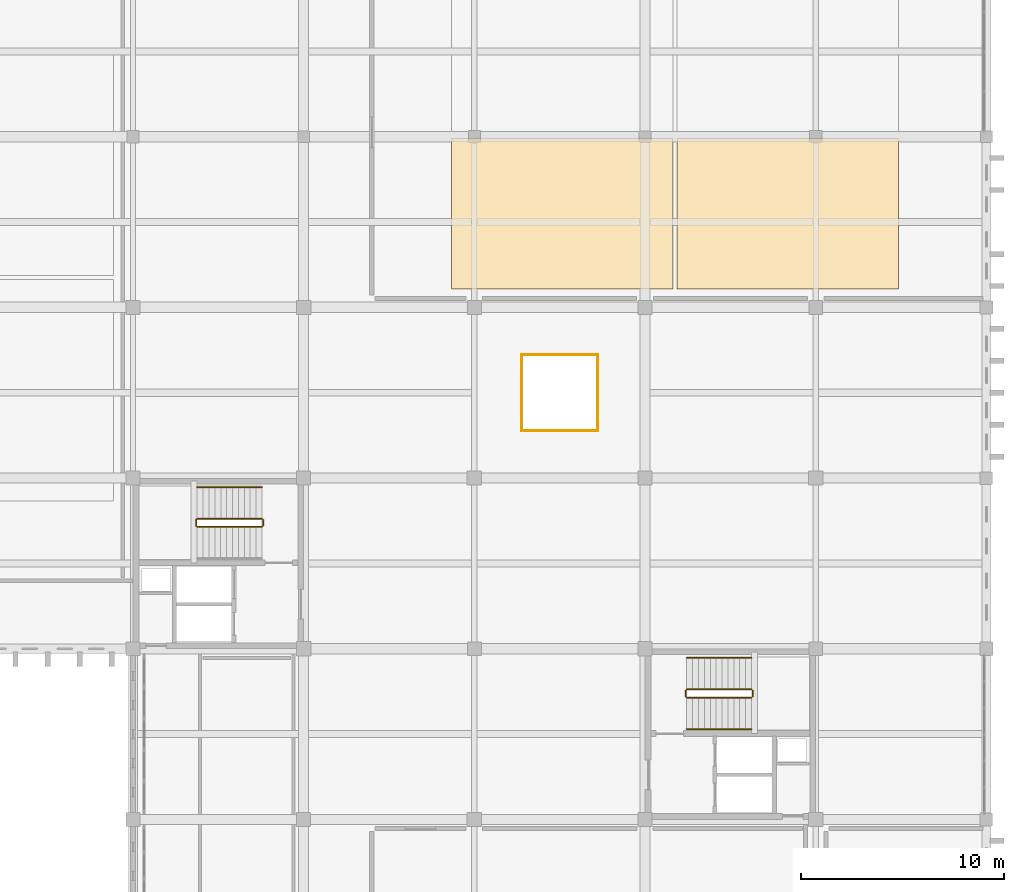
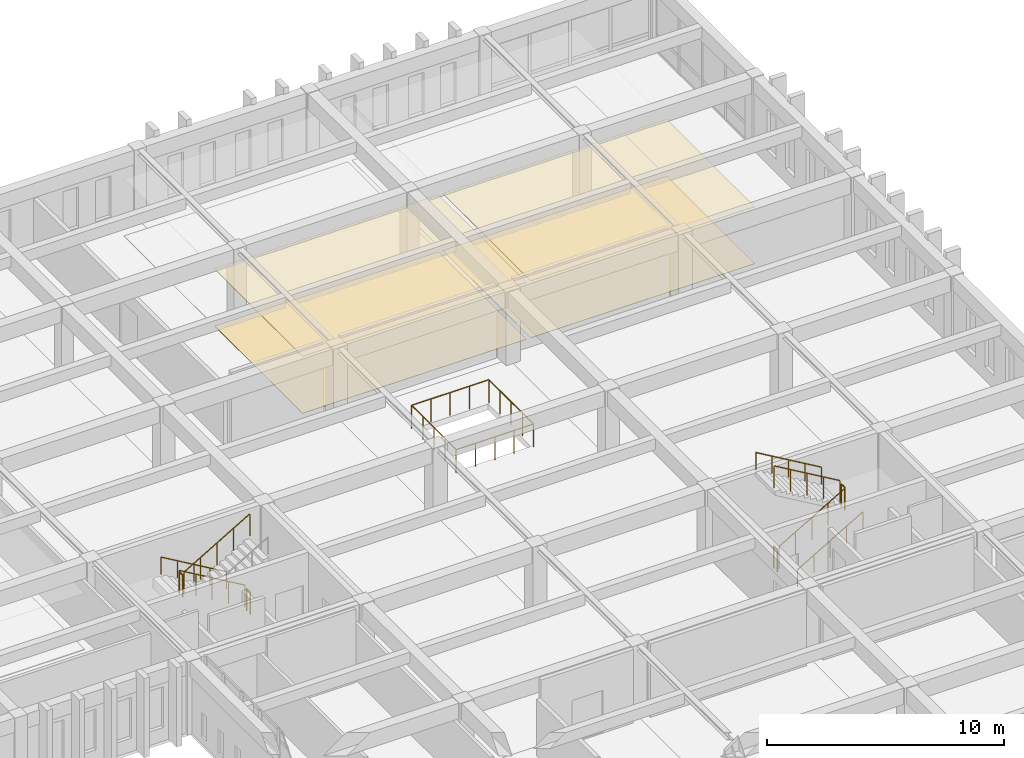
# One storey, part 109 of 110: 15 railings, 4 coverings.
"""IFC4 building model written with IfcOpenShell, lengths in metres."""

from ifc_helpers import new_model, si_unit, direction, frame, origin, origin_2d, place, context, subcontext, project, spatial, rectangle, circle, extrude, material, layer, layer_set, type_object, element, save


model = new_model("IFC4")

# Units and contexts
model_context = context("Model", 3, precision=1e-05, world=origin(), true_north=direction((0.0, 1.0)))
body_context = subcontext(model_context, "Body", "Model", "MODEL_VIEW")
ifc_project = project(units=[si_unit("LENGTHUNIT", "METRE"), si_unit("AREAUNIT", "SQUARE_METRE"), si_unit("VOLUMEUNIT", "CUBIC_METRE"), si_unit("PLANEANGLEUNIT", "RADIAN"), si_unit("MASSUNIT", "GRAM", prefix="KILO")], contexts=[model_context])

# Site, building, storey
site_placement = place(None, origin())
site = spatial("IfcSite", under=ifc_project, at=site_placement, CompositionType="ELEMENT")
building_placement = place(site_placement, origin())
building = spatial("IfcBuilding", under=site, at=building_placement, Name="Kveldsbrygga Polytechnic", CompositionType="ELEMENT")
storey_placement = place(building_placement, frame((0.0, 0.0, 9.860107421875)))
storey = spatial("IfcBuildingStorey", under=building, at=storey_placement, Name="L02", CompositionType="ELEMENT", Elevation=9.860107421875)

# Coverings
ifc_material_1 = material(Name="Acoustic mineral baffle ceiling")
ifc_layer_1 = layer(ifc_material_1, 0.030029296875)
ifc_layer_set_1 = layer_set([ifc_layer_1], Name="Acoustic mineral baffle ceiling")
covering_type_1 = type_object("IfcCoveringType", Name="COV-CEIL-AC30", PredefinedType="CEILING", material=ifc_layer_set_1)
for number, where, z_axis, x_axis, name in (
    (1, (147.125, 105.41259765625, 2.919921875), (0.0, 0.0, 1.0), (1.0, 0.0, 0.0), "Acoustic Ceiling SP-L02-LAB22-WS"),
    (2, (158.22509765625, 105.41259765625, 2.919921875), (0.0, 0.0, 1.0), (1.0, 0.0, 0.0), "Acoustic Ceiling SP-L02-LAB22-ES"),
):
    element("IfcCovering", number, at=place(storey_placement, frame(where, z_axis=z_axis, x_axis=x_axis)), inside=storey, type_object=covering_type_1, Name=name, PredefinedType="CEILING", context=body_context, shape_type="SweptSolid", body=[
        extrude(rectangle(XDim=10.89990234375, YDim=7.425048828125, at=origin_2d()), origin(), (0.0, 0.0, 1.0), 0.030029296875),
    ])
ifc_material_2 = material(Name="Heavy-duty quartz-filled epoxy resin flooring")
ifc_layer_2 = layer(ifc_material_2, 0.014892578125)
ifc_layer_set_2 = layer_set([ifc_layer_2], Name="Heavy-duty quartz-filled epoxy resin flooring")
covering_type_2 = type_object("IfcCoveringType", Name="COV-FLR-EPX15", PredefinedType="FLOORING", material=ifc_layer_set_2)
for number, where, z_axis, x_axis, name in (
    (3, (147.125, 105.41259765625, 0.0), (0.0, 0.0, 1.0), (1.0, 0.0, 0.0), "Room Flooring SP-L02-LAB22-WS"),
    (4, (158.22509765625, 105.41259765625, 0.0), (0.0, 0.0, 1.0), (1.0, 0.0, 0.0), "Room Flooring SP-L02-LAB22-ES"),
):
    element("IfcCovering", number, at=place(storey_placement, frame(where, z_axis=z_axis, x_axis=x_axis)), inside=storey, type_object=covering_type_2, Name=name, PredefinedType="FLOORING", context=body_context, shape_type="SweptSolid", body=[
        extrude(rectangle(XDim=10.89990234375, YDim=7.425048828125, at=origin_2d()), origin(), (0.0, 0.0, 1.0), 0.014892578125),
    ])

# Railings
ifc_material_3 = material(Name="Steel S355", Category="steel")
railing_type_1 = type_object("IfcRailingType", Name="RL-STAIR-GRD", PredefinedType="GUARDRAIL", material=ifc_material_3)
railing_1_placement = place(storey_placement, frame((132.35009765625, 90.39990234375, 0.169921875)))
element("IfcRailing", 5, at=railing_1_placement, inside=storey, type_object=railing_type_1, Name="L02 ST-2 stair guard 1", PredefinedType="GUARDRAIL", context=body_context, shape_type="SweptSolid", body=[
    extrude(circle(Radius=0.02392578125, at=origin_2d()), frame((0.0, 0.0, 1.1259765625), z_axis=(-0.862725780356, 0.0, 0.505672055693), x_axis=(0.0, -1.0, 0.0)), (0.0, 0.0, 1.0), 3.69775390625),
    extrude(circle(Radius=0.02099609375, at=origin_2d()), origin(), (0.0, 0.0, 1.0), 1.097900390625),
    extrude(circle(Radius=0.02099609375, at=origin_2d()), frame((-0.797607421875, 0.0, 0.467529296875)), (0.0, 0.0, 1.0), 1.097900390625),
    extrude(circle(Radius=0.02099609375, at=origin_2d()), frame((-1.59521484375, 0.0, 0.93505859375)), (0.0, 0.0, 1.0), 1.097900390625),
    extrude(circle(Radius=0.02099609375, at=origin_2d()), frame((-2.392578125, 0.0, 1.40234375)), (0.0, 0.0, 1.0), 1.097900390625),
    extrude(circle(Radius=0.02099609375, at=origin_2d()), frame((-3.190185546875, 0.0, 1.869873046875)), (0.0, 0.0, 1.0), 1.097900390625),
])
railing_2_placement = place(storey_placement, frame((129.110107421875, 90.35009765625, 2.039794921875)))
element("IfcRailing", 6, at=railing_2_placement, inside=storey, type_object=railing_type_1, Name="L02 ST-2 stair guard 2", PredefinedType="GUARDRAIL", context=body_context, shape_type="SweptSolid", body=[
    extrude(circle(Radius=0.02392578125, at=origin_2d()), frame((0.0, 0.0, 1.1259765625), z_axis=(0.0, -1.0, 0.0), x_axis=(1.0, 0.0, 0.0)), (0.0, 0.0, 1.0), 0.300048828125),
    extrude(circle(Radius=0.02099609375, at=origin_2d()), origin(), (0.0, 0.0, 1.0), 1.097900390625),
    extrude(circle(Radius=0.02099609375, at=origin_2d()), frame((0.0, -0.300048828125, 0.0)), (0.0, 0.0, 1.0), 1.097900390625),
])
railing_3_placement = place(storey_placement, frame((129.159912109375, 90.0, 2.2099609375)))
element("IfcRailing", 7, at=railing_3_placement, inside=storey, type_object=railing_type_1, Name="L02 ST-2 stair guard 3", PredefinedType="GUARDRAIL", context=body_context, shape_type="SweptSolid", body=[
    extrude(circle(Radius=0.02392578125, at=origin_2d()), frame((0.0, 0.0, 1.1259765625), z_axis=(0.862725780356, 0.0, 0.505672055693), x_axis=(0.0, 1.0, 0.0)), (0.0, 0.0, 1.0), 3.69775390625),
    extrude(circle(Radius=0.02099609375, at=origin_2d()), origin(), (0.0, 0.0, 1.0), 1.097900390625),
    extrude(circle(Radius=0.02099609375, at=origin_2d()), frame((0.797607421875, 0.0, 0.467529296875)), (0.0, 0.0, 1.0), 1.097900390625),
    extrude(circle(Radius=0.02099609375, at=origin_2d()), frame((1.59521484375, 0.0, 0.93505859375)), (0.0, 0.0, 1.0), 1.097900390625),
    extrude(circle(Radius=0.02099609375, at=origin_2d()), frame((2.392578125, 0.0, 1.40234375)), (0.0, 0.0, 1.0), 1.097900390625),
    extrude(circle(Radius=0.02099609375, at=origin_2d()), frame((3.190185546875, 0.0, 1.869873046875)), (0.0, 0.0, 1.0), 1.097900390625),
])
railing_4_placement = place(storey_placement, frame((132.39990234375, 90.35009765625, 0.0)))
element("IfcRailing", 8, at=railing_4_placement, inside=storey, type_object=railing_type_1, Name="L02 ST-2 stair guard 4", PredefinedType="GUARDRAIL", context=body_context, shape_type="SweptSolid", body=[
    extrude(circle(Radius=0.02392578125, at=origin_2d()), frame((0.0, 0.0, 1.1259765625), z_axis=(0.0, -1.0, 0.0), x_axis=(1.0, 0.0, 0.0)), (0.0, 0.0, 1.0), 0.300048828125),
    extrude(circle(Radius=0.02099609375, at=origin_2d()), origin(), (0.0, 0.0, 1.0), 1.097900390625),
    extrude(circle(Radius=0.02099609375, at=origin_2d()), frame((0.0, -0.300048828125, 0.0)), (0.0, 0.0, 1.0), 1.097900390625),
])
railing_5_placement = place(storey_placement, frame((153.25, 81.60009765625, 0.169921875)))
element("IfcRailing", 9, at=railing_5_placement, inside=storey, type_object=railing_type_1, Name="L02 ST-4 stair guard 1", PredefinedType="GUARDRAIL", context=body_context, shape_type="SweptSolid", body=[
    extrude(circle(Radius=0.02392578125, at=origin_2d()), frame((0.0, 0.0, 1.1259765625), z_axis=(0.86270889649, 0.0, 0.505700860111), x_axis=(0.0, 1.0, 0.0)), (0.0, 0.0, 1.0), 3.697509765625),
    extrude(circle(Radius=0.02099609375, at=origin_2d()), origin(), (0.0, 0.0, 1.0), 1.097900390625),
    extrude(circle(Radius=0.02099609375, at=origin_2d()), frame((0.79736328125, 0.0, 0.467529296875)), (0.0, 0.0, 1.0), 1.097900390625),
    extrude(circle(Radius=0.02099609375, at=origin_2d()), frame((1.594970703125, 0.0, 0.93505859375)), (0.0, 0.0, 1.0), 1.097900390625),
    extrude(circle(Radius=0.02099609375, at=origin_2d()), frame((2.392578125, 0.0, 1.40234375)), (0.0, 0.0, 1.0), 1.097900390625),
    extrude(circle(Radius=0.02099609375, at=origin_2d()), frame((3.18994140625, 0.0, 1.869873046875)), (0.0, 0.0, 1.0), 1.097900390625),
])
railing_6_placement = place(storey_placement, frame((156.489990234375, 81.64990234375, 2.039794921875)))
element("IfcRailing", 10, at=railing_6_placement, inside=storey, type_object=railing_type_1, Name="L02 ST-4 stair guard 2", PredefinedType="GUARDRAIL", context=body_context, shape_type="SweptSolid", body=[
    extrude(circle(Radius=0.02392578125, at=origin_2d()), frame((0.0, 0.0, 1.1259765625), z_axis=(0.0, 1.0, 0.0), x_axis=(-1.0, 0.0, 0.0)), (0.0, 0.0, 1.0), 0.300048828125),
    extrude(circle(Radius=0.02099609375, at=origin_2d()), origin(), (0.0, 0.0, 1.0), 1.097900390625),
    extrude(circle(Radius=0.02099609375, at=origin_2d()), frame((0.0, 0.300048828125, 0.0)), (0.0, 0.0, 1.0), 1.097900390625),
])
railing_7_placement = place(storey_placement, frame((156.43994140625, 82.0, 2.2099609375)))
element("IfcRailing", 11, at=railing_7_placement, inside=storey, type_object=railing_type_1, Name="L02 ST-4 stair guard 3", PredefinedType="GUARDRAIL", context=body_context, shape_type="SweptSolid", body=[
    extrude(circle(Radius=0.02392578125, at=origin_2d()), frame((0.0, 0.0, 1.1259765625), z_axis=(-0.86270889649, 0.0, 0.505700860111), x_axis=(0.0, -1.0, 0.0)), (0.0, 0.0, 1.0), 3.697509765625),
    extrude(circle(Radius=0.02099609375, at=origin_2d()), origin(), (0.0, 0.0, 1.0), 1.097900390625),
    extrude(circle(Radius=0.02099609375, at=origin_2d()), frame((-0.79736328125, 0.0, 0.467529296875)), (0.0, 0.0, 1.0), 1.097900390625),
    extrude(circle(Radius=0.02099609375, at=origin_2d()), frame((-1.594970703125, 0.0, 0.93505859375)), (0.0, 0.0, 1.0), 1.097900390625),
    extrude(circle(Radius=0.02099609375, at=origin_2d()), frame((-2.392578125, 0.0, 1.40234375)), (0.0, 0.0, 1.0), 1.097900390625),
    extrude(circle(Radius=0.02099609375, at=origin_2d()), frame((-3.18994140625, 0.0, 1.869873046875)), (0.0, 0.0, 1.0), 1.097900390625),
])
railing_8_placement = place(storey_placement, frame((153.199951171875, 81.64990234375, 0.0)))
element("IfcRailing", 12, at=railing_8_placement, inside=storey, type_object=railing_type_1, Name="L02 ST-4 stair guard 4", PredefinedType="GUARDRAIL", context=body_context, shape_type="SweptSolid", body=[
    extrude(circle(Radius=0.02392578125, at=origin_2d()), frame((0.0, 0.0, 1.1259765625), z_axis=(0.0, 1.0, 0.0), x_axis=(-1.0, 0.0, 0.0)), (0.0, 0.0, 1.0), 0.300048828125),
    extrude(circle(Radius=0.02099609375, at=origin_2d()), origin(), (0.0, 0.0, 1.0), 1.097900390625),
    extrude(circle(Radius=0.02099609375, at=origin_2d()), frame((0.0, 0.300048828125, 0.0)), (0.0, 0.0, 1.0), 1.097900390625),
])
railing_type_2 = type_object("IfcRailingType", Name="RL-STAIR-HND", PredefinedType="HANDRAIL", material=ifc_material_3)
railing_9_placement = place(storey_placement, frame((132.35009765625, 91.949951171875, 0.169921875)))
element("IfcRailing", 13, at=railing_9_placement, inside=storey, type_object=railing_type_2, Name="L02 ST-2 stair handrail 1", PredefinedType="HANDRAIL", context=body_context, shape_type="SweptSolid", body=[
    extrude(circle(Radius=0.02392578125, at=origin_2d()), frame((0.0, 0.0, 0.8759765625), z_axis=(-0.862725780356, 0.0, 0.505672055693), x_axis=(0.0, -1.0, 0.0)), (0.0, 0.0, 1.0), 3.69775390625),
    extrude(circle(Radius=0.02099609375, at=origin_2d()), origin(), (0.0, 0.0, 1.0), 0.847900390625),
    extrude(circle(Radius=0.02099609375, at=origin_2d()), frame((-0.797607421875, 0.0, 0.467529296875)), (0.0, 0.0, 1.0), 0.847900390625),
    extrude(circle(Radius=0.02099609375, at=origin_2d()), frame((-1.59521484375, 0.0, 0.93505859375)), (0.0, 0.0, 1.0), 0.847900390625),
    extrude(circle(Radius=0.02099609375, at=origin_2d()), frame((-2.392578125, 0.0, 1.40234375)), (0.0, 0.0, 1.0), 0.847900390625),
    extrude(circle(Radius=0.02099609375, at=origin_2d()), frame((-3.190185546875, 0.0, 1.869873046875)), (0.0, 0.0, 1.0), 0.847900390625),
])
railing_10_placement = place(storey_placement, frame((153.25, 80.050048828125, 0.169921875)))
element("IfcRailing", 14, at=railing_10_placement, inside=storey, type_object=railing_type_2, Name="L02 ST-4 stair handrail 1", PredefinedType="HANDRAIL", context=body_context, shape_type="SweptSolid", body=[
    extrude(circle(Radius=0.02392578125, at=origin_2d()), frame((0.0, 0.0, 0.8759765625), z_axis=(0.86270889649, 0.0, 0.505700860111), x_axis=(0.0, 1.0, 0.0)), (0.0, 0.0, 1.0), 3.697509765625),
    extrude(circle(Radius=0.02099609375, at=origin_2d()), origin(), (0.0, 0.0, 1.0), 0.847900390625),
    extrude(circle(Radius=0.02099609375, at=origin_2d()), frame((0.79736328125, 0.0, 0.467529296875)), (0.0, 0.0, 1.0), 0.847900390625),
    extrude(circle(Radius=0.02099609375, at=origin_2d()), frame((1.594970703125, 0.0, 0.93505859375)), (0.0, 0.0, 1.0), 0.847900390625),
    extrude(circle(Radius=0.02099609375, at=origin_2d()), frame((2.392578125, 0.0, 1.40234375)), (0.0, 0.0, 1.0), 0.847900390625),
    extrude(circle(Radius=0.02099609375, at=origin_2d()), frame((3.18994140625, 0.0, 1.869873046875)), (0.0, 0.0, 1.0), 0.847900390625),
])
railing_11_placement = place(storey_placement, frame((156.43994140625, 83.550048828125, 2.2099609375)))
element("IfcRailing", 15, at=railing_11_placement, inside=storey, type_object=railing_type_2, Name="L02 ST-4 stair handrail 2", PredefinedType="HANDRAIL", context=body_context, shape_type="SweptSolid", body=[
    extrude(circle(Radius=0.02392578125, at=origin_2d()), frame((0.0, 0.0, 0.8759765625), z_axis=(-0.86270889649, 0.0, 0.505700860111), x_axis=(0.0, -1.0, 0.0)), (0.0, 0.0, 1.0), 3.697509765625),
    extrude(circle(Radius=0.02099609375, at=origin_2d()), origin(), (0.0, 0.0, 1.0), 0.847900390625),
    extrude(circle(Radius=0.02099609375, at=origin_2d()), frame((-0.79736328125, 0.0, 0.467529296875)), (0.0, 0.0, 1.0), 0.847900390625),
    extrude(circle(Radius=0.02099609375, at=origin_2d()), frame((-1.594970703125, 0.0, 0.93505859375)), (0.0, 0.0, 1.0), 0.847900390625),
    extrude(circle(Radius=0.02099609375, at=origin_2d()), frame((-2.392578125, 0.0, 1.40234375)), (0.0, 0.0, 1.0), 0.847900390625),
    extrude(circle(Radius=0.02099609375, at=origin_2d()), frame((-3.18994140625, 0.0, 1.869873046875)), (0.0, 0.0, 1.0), 0.847900390625),
])
railing_type_3 = type_object("IfcRailingType", Name="RL-VOID-GRD", PredefinedType="GUARDRAIL", material=ifc_material_3)
railing_12_placement = place(storey_placement, frame((145.1201171875, 94.719970703125, 0.0)))
element("IfcRailing", 16, at=railing_12_placement, inside=storey, type_object=railing_type_3, Name="Atrium Well Guard GRD-L02-WELL-11-S", PredefinedType="GUARDRAIL", context=body_context, shape_type="SweptSolid", body=[
    extrude(circle(Radius=0.02392578125, at=origin_2d()), frame((0.0, 0.0, 1.17578125), z_axis=(1.0, 0.0, 0.0), x_axis=(0.0, 1.0, 0.0)), (0.0, 0.0, 1.0), 3.759765625),
    extrude(circle(Radius=0.02099609375, at=origin_2d()), origin(), (0.0, 0.0, 1.0), 1.14794921875),
    extrude(circle(Radius=0.02099609375, at=origin_2d()), frame((0.93994140625, 0.0, 0.0)), (0.0, 0.0, 1.0), 1.14794921875),
    extrude(circle(Radius=0.02099609375, at=origin_2d()), frame((1.8798828125, 0.0, 0.0)), (0.0, 0.0, 1.0), 1.14794921875),
    extrude(circle(Radius=0.02099609375, at=origin_2d()), frame((2.81982421875, 0.0, 0.0)), (0.0, 0.0, 1.0), 1.14794921875),
    extrude(circle(Radius=0.02099609375, at=origin_2d()), frame((3.759765625, 0.0, 0.0)), (0.0, 0.0, 1.0), 1.14794921875),
])
railing_13_placement = place(storey_placement, frame((148.8798828125, 94.719970703125, 0.0)))
element("IfcRailing", 17, at=railing_13_placement, inside=storey, type_object=railing_type_3, Name="Atrium Well Guard GRD-L02-WELL-11-E", PredefinedType="GUARDRAIL", context=body_context, shape_type="SweptSolid", body=[
    extrude(circle(Radius=0.02392578125, at=origin_2d()), frame((0.0, 0.0, 1.17578125), z_axis=(0.0, 1.0, 0.0), x_axis=(-1.0, 0.0, 0.0)), (0.0, 0.0, 1.0), 3.760009765625),
    extrude(circle(Radius=0.02099609375, at=origin_2d()), origin(), (0.0, 0.0, 1.0), 1.14794921875),
    extrude(circle(Radius=0.02099609375, at=origin_2d()), frame((0.0, 0.93994140625, 0.0)), (0.0, 0.0, 1.0), 1.14794921875),
    extrude(circle(Radius=0.02099609375, at=origin_2d()), frame((0.0, 1.8798828125, 0.0)), (0.0, 0.0, 1.0), 1.14794921875),
    extrude(circle(Radius=0.02099609375, at=origin_2d()), frame((0.0, 2.820068359375, 0.0)), (0.0, 0.0, 1.0), 1.14794921875),
    extrude(circle(Radius=0.02099609375, at=origin_2d()), frame((0.0, 3.760009765625, 0.0)), (0.0, 0.0, 1.0), 1.14794921875),
])
railing_14_placement = place(storey_placement, frame((148.8798828125, 98.47998046875, 0.0)))
element("IfcRailing", 18, at=railing_14_placement, inside=storey, type_object=railing_type_3, Name="Atrium Well Guard GRD-L02-WELL-11-N", PredefinedType="GUARDRAIL", context=body_context, shape_type="SweptSolid", body=[
    extrude(circle(Radius=0.02392578125, at=origin_2d()), frame((0.0, 0.0, 1.17578125), z_axis=(-1.0, 0.0, 0.0), x_axis=(0.0, -1.0, 0.0)), (0.0, 0.0, 1.0), 3.759765625),
    extrude(circle(Radius=0.02099609375, at=origin_2d()), origin(), (0.0, 0.0, 1.0), 1.14794921875),
    extrude(circle(Radius=0.02099609375, at=origin_2d()), frame((-0.93994140625, 0.0, 0.0)), (0.0, 0.0, 1.0), 1.14794921875),
    extrude(circle(Radius=0.02099609375, at=origin_2d()), frame((-1.8798828125, 0.0, 0.0)), (0.0, 0.0, 1.0), 1.14794921875),
    extrude(circle(Radius=0.02099609375, at=origin_2d()), frame((-2.81982421875, 0.0, 0.0)), (0.0, 0.0, 1.0), 1.14794921875),
    extrude(circle(Radius=0.02099609375, at=origin_2d()), frame((-3.759765625, 0.0, 0.0)), (0.0, 0.0, 1.0), 1.14794921875),
])
railing_15_placement = place(storey_placement, frame((145.1201171875, 98.47998046875, 0.0)))
element("IfcRailing", 19, at=railing_15_placement, inside=storey, type_object=railing_type_3, Name="Atrium Well Guard GRD-L02-WELL-11-W", PredefinedType="GUARDRAIL", context=body_context, shape_type="SweptSolid", body=[
    extrude(circle(Radius=0.02392578125, at=origin_2d()), frame((0.0, 0.0, 1.17578125), z_axis=(0.0, -1.0, 0.0), x_axis=(1.0, 0.0, 0.0)), (0.0, 0.0, 1.0), 3.760009765625),
    extrude(circle(Radius=0.02099609375, at=origin_2d()), origin(), (0.0, 0.0, 1.0), 1.14794921875),
    extrude(circle(Radius=0.02099609375, at=origin_2d()), frame((0.0, -0.93994140625, 0.0)), (0.0, 0.0, 1.0), 1.14794921875),
    extrude(circle(Radius=0.02099609375, at=origin_2d()), frame((0.0, -1.8798828125, 0.0)), (0.0, 0.0, 1.0), 1.14794921875),
    extrude(circle(Radius=0.02099609375, at=origin_2d()), frame((0.0, -2.820068359375, 0.0)), (0.0, 0.0, 1.0), 1.14794921875),
    extrude(circle(Radius=0.02099609375, at=origin_2d()), frame((0.0, -3.760009765625, 0.0)), (0.0, 0.0, 1.0), 1.14794921875),
])

save(model, "model.ifc")
